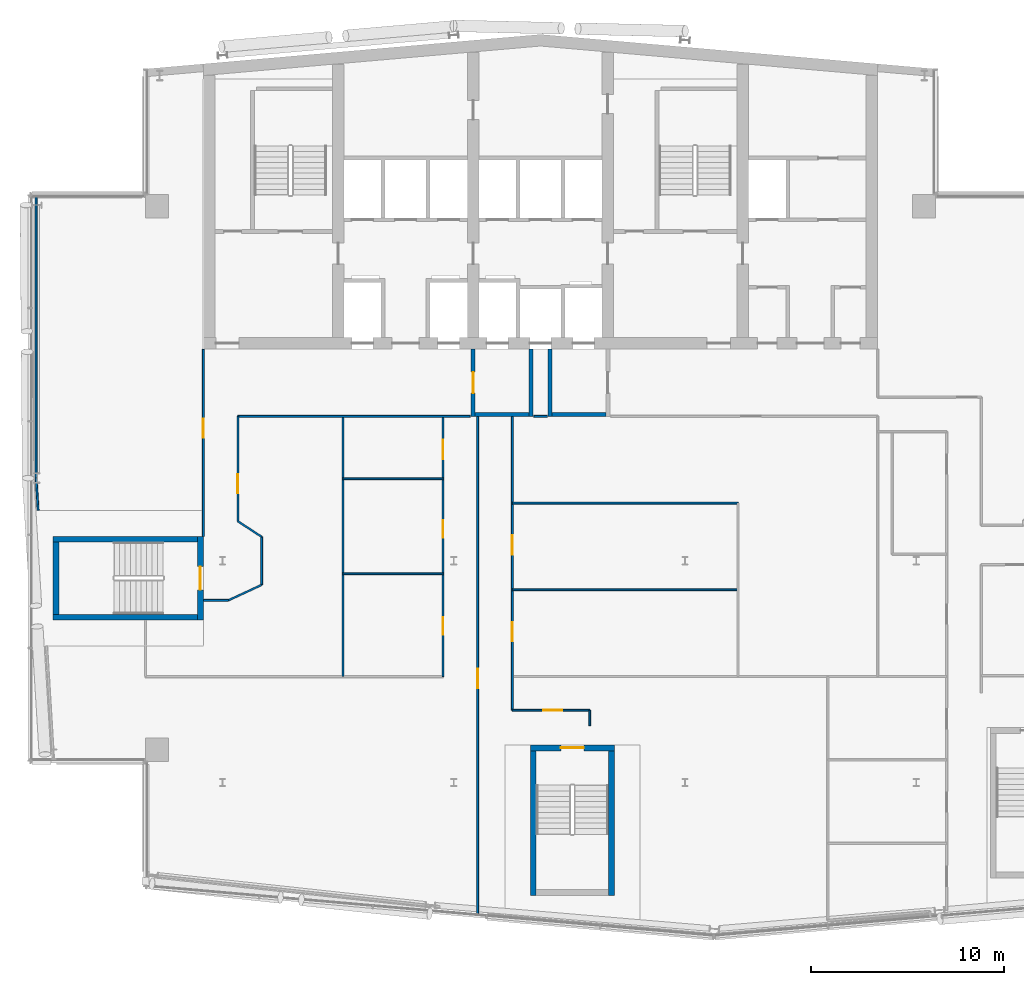
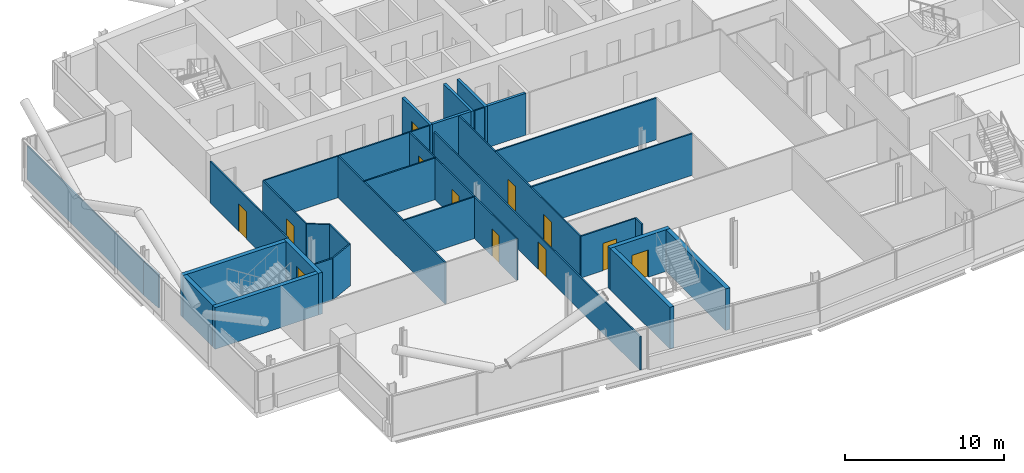
# One storey, part 15 of 27: 32 walls, 12 doors, 12 openings.
"""IFC4 building model written with IfcOpenShell, lengths in metres."""

from ifc_helpers import new_model, si_unit, direction, frame, frame_2d, origin, place, context, subcontext, project, spatial, rectangle, extrude, material, layer, layer_set, type_object, element, fill, save


model = new_model("IFC4")

# Units and contexts
model_context = context("Model", 3, precision=1e-05, world=origin(), true_north=direction((0.0, 1.0)))
body_context = subcontext(model_context, "Body", "Model", "MODEL_VIEW")
ifc_project = project(units=[si_unit("LENGTHUNIT", "METRE"), si_unit("AREAUNIT", "SQUARE_METRE"), si_unit("VOLUMEUNIT", "CUBIC_METRE"), si_unit("PLANEANGLEUNIT", "RADIAN"), si_unit("MASSUNIT", "GRAM", prefix="KILO")], contexts=[model_context])

# Site, building, storey
site_placement = place(None, origin())
site = spatial("IfcSite", under=ifc_project, at=site_placement, CompositionType="ELEMENT")
building_placement = place(site_placement, origin())
building = spatial("IfcBuilding", under=site, at=building_placement, Name="Wharfspan Tower", CompositionType="ELEMENT")
storey_placement = place(building_placement, frame((0.0, 0.0, 221.5)))
storey = spatial("IfcBuildingStorey", under=building, at=storey_placement, Name="L55", CompositionType="ELEMENT", Elevation=221.5)

# Wall, opening, door
ifc_material_1 = material(Name="Gypsum board on steel studs", Category="steel")
ifc_layer_1 = layer(ifc_material_1, 0.100098)
ifc_layer_set_1 = layer_set([ifc_layer_1], Name="Gypsum board on steel studs")
wall_type_1 = type_object("IfcWallType", Name="Compartment wall 100 EI 60", PredefinedType="PARTITIONING", material=ifc_layer_set_1)
wall_1_placement = place(storey_placement, frame((23.0, 24.274902, 0.0), z_axis=(0.0, 0.0, 1.0), x_axis=(0.0, 1.0, 0.0)))
wall_1 = element("IfcWall", 1, at=wall_1_placement, inside=storey, type_object=wall_type_1, Name="Partition L55.w007", PredefinedType="PARTITIONING", context=body_context, shape_type="SweptSolid", body=[
    extrude(rectangle(XDim=9.705078, YDim=0.100098, at=frame_2d((4.852539, 0.0))), origin(), (0.0, 0.0, 1.0), 3.199951),
])
opening_1_placement = place(wall_1_placement, frame((5.10498, 0.0, 0.0)))
opening_1 = element("IfcOpeningElement", 2, at=opening_1_placement, cuts=wall_1, Name="Opening D3-15", PredefinedType="OPENING", context=body_context, shape_type="SweptSolid", body=[
    extrude(rectangle(XDim=1.0, YDim=2.100098, at=frame_2d((0.5, 1.050049))), frame((0.0, 0.060059, 0.0), z_axis=(0.0, -1.0, 0.0), x_axis=(1.0, 0.0, 0.0)), (0.0, 0.0, 1.0), 0.120117),
])
ifc_material_2 = material(Name="Fire-rated timber door leaf in steel frame", Category="steel")
door_type_1 = type_object("IfcDoorType", Name="Door 1000 FD30S Right", OperationType="SINGLE_SWING_RIGHT", PredefinedType="DOOR", material=ifc_material_2)
door_1_placement = place(opening_1_placement, origin())
door_1 = element("IfcDoor", 3, at=door_1_placement, inside=storey, type_object=door_type_1, Name="Door D3-15", OperationType="SINGLE_SWING_RIGHT", OverallHeight=2.100098, OverallWidth=1.0, PredefinedType="DOOR", context=body_context, shape_type="SweptSolid", body=[
    extrude(rectangle(XDim=1.0, YDim=2.100098, at=frame_2d((0.5, 1.050049))), frame((0.0, 0.024902, 0.0), z_axis=(0.0, -1.0, 0.0), x_axis=(1.0, 0.0, 0.0)), (0.0, 0.0, 1.0), 0.050049),
])
fill(opening_1, door_1)

# Walls
wall_2_placement = place(storey_placement, frame((23.02002, 20.949951, 0.0), z_axis=(0.0, 0.0, 1.0), x_axis=(1.0, 0.0, 0.0)))
element("IfcWall", 4, at=wall_2_placement, inside=storey, type_object=wall_type_1, Name="Partition L55.w008", PredefinedType="PARTITIONING", context=body_context, shape_type="SweptSolid", body=[
    extrude(rectangle(XDim=1.280029, YDim=0.100098, at=frame_2d((0.640137, 0.0))), origin(), (0.0, 0.0, 1.0), 3.199951),
])
wall_3_placement = place(storey_placement, frame((24.300049, 20.949951, 0.0), z_axis=(0.0, 0.0, 1.0), x_axis=(0.907168, 0.420777, 0.0)))
element("IfcWall", 5, at=wall_3_placement, inside=storey, type_object=wall_type_1, Name="Partition L55.w009", PredefinedType="PARTITIONING", context=body_context, shape_type="SweptSolid", body=[
    extrude(rectangle(XDim=1.901367, YDim=0.100098, at=frame_2d((0.950684, 0.0))), origin(), (0.0, 0.0, 1.0), 3.199951),
])

# Wall, opening, door
wall_4_placement = place(storey_placement, frame((24.800049, 25.050049, 0.0), z_axis=(0.0, 0.0, 1.0), x_axis=(0.0, 1.0, 0.0)))
wall_4 = element("IfcWall", 6, at=wall_4_placement, inside=storey, type_object=wall_type_1, Name="Partition L55.w010", PredefinedType="PARTITIONING", context=body_context, shape_type="SweptSolid", body=[
    extrude(rectangle(XDim=5.449951, YDim=0.100098, at=frame_2d((2.725098, 0.0))), origin(), (0.0, 0.0, 1.0), 3.199951),
])
opening_2_placement = place(wall_4_placement, frame((1.455322, 0.0, 0.0)))
opening_2 = element("IfcOpeningElement", 7, at=opening_2_placement, cuts=wall_4, Name="Opening D3-12", PredefinedType="OPENING", context=body_context, shape_type="SweptSolid", body=[
    extrude(rectangle(XDim=1.0, YDim=2.100098, at=frame_2d((0.5, 1.050049))), frame((0.0, 0.060059, 0.0), z_axis=(0.0, -1.0, 0.0), x_axis=(1.0, 0.0, 0.0)), (0.0, 0.0, 1.0), 0.120117),
])
door_type_2 = type_object("IfcDoorType", Name="Door 1000 FD30S Left", OperationType="SINGLE_SWING_LEFT", PredefinedType="DOOR", material=ifc_material_2)
door_2_placement = place(opening_2_placement, origin())
door_2 = element("IfcDoor", 8, at=door_2_placement, inside=storey, type_object=door_type_2, Name="Door D3-12", OperationType="SINGLE_SWING_LEFT", OverallHeight=2.100098, OverallWidth=1.0, PredefinedType="DOOR", context=body_context, shape_type="SweptSolid", body=[
    extrude(rectangle(XDim=1.0, YDim=2.100098, at=frame_2d((0.5, 1.050049))), frame((0.0, 0.024902, 0.0), z_axis=(0.0, -1.0, 0.0), x_axis=(1.0, 0.0, 0.0)), (0.0, 0.0, 1.0), 0.050049),
])
fill(opening_2, door_2)

# Walls
wall_5_placement = place(storey_placement, frame((24.800049, 30.5, 0.0), z_axis=(0.0, 0.0, 1.0), x_axis=(1.0, 0.0, 0.0)))
element("IfcWall", 9, at=wall_5_placement, inside=storey, type_object=wall_type_1, Name="Partition L55.w011", PredefinedType="PARTITIONING", context=body_context, shape_type="SweptSolid", body=[
    extrude(rectangle(XDim=12.050049, YDim=0.100098, at=frame_2d((6.024902, 0.0))), origin(), (0.0, 0.0, 1.0), 3.199951),
])
wall_6_placement = place(storey_placement, frame((26.024902, 21.75, 0.0), z_axis=(0.0, 0.0, 1.0), x_axis=(0.0, 1.0, 0.0)))
element("IfcWall", 10, at=wall_6_placement, inside=storey, type_object=wall_type_1, Name="Partition L55.w012", PredefinedType="PARTITIONING", context=body_context, shape_type="SweptSolid", body=[
    extrude(rectangle(XDim=2.5, YDim=0.100098, at=frame_2d((1.25, 0.0))), origin(), (0.0, 0.0, 1.0), 3.199951),
])
wall_7_placement = place(storey_placement, frame((26.024902, 24.25, 0.0), z_axis=(0.0, 0.0, 1.0), x_axis=(-0.837222, 0.546856, 0.0)))
element("IfcWall", 11, at=wall_7_placement, inside=storey, type_object=wall_type_1, Name="Partition L55.w013", PredefinedType="PARTITIONING", context=body_context, shape_type="SweptSolid", body=[
    extrude(rectangle(XDim=1.462891, YDim=0.100098, at=frame_2d((0.731445, 0.0))), origin(), (0.0, 0.0, 1.0), 3.199951),
])
wall_8_placement = place(storey_placement, frame((30.25, 17.0, 0.0), z_axis=(0.0, 0.0, 1.0), x_axis=(0.0, 1.0, 0.0)))
element("IfcWall", 12, at=wall_8_placement, inside=storey, type_object=wall_type_1, Name="Partition L55.w014", PredefinedType="PARTITIONING", context=body_context, shape_type="SweptSolid", body=[
    extrude(rectangle(XDim=13.5, YDim=0.100098, at=frame_2d((6.75, 0.0))), origin(), (0.0, 0.0, 1.0), 3.199951),
])

# Wall, openings, doors
wall_9_placement = place(storey_placement, frame((35.439941, 16.995117, 0.0), z_axis=(0.0, 0.0, 1.0), x_axis=(0.0, 1.0, 0.0)))
wall_9 = element("IfcWall", 13, at=wall_9_placement, inside=storey, type_object=wall_type_1, Name="Partition L55.w018", PredefinedType="PARTITIONING", context=body_context, shape_type="SweptSolid", body=[
    extrude(rectangle(XDim=13.494873, YDim=0.100098, at=frame_2d((6.747559, 0.0))), origin(), (0.0, 0.0, 1.0), 3.199951),
])
opening_3_placement = place(wall_9_placement, frame((2.166016, 0.0, 0.0)))
opening_3 = element("IfcOpeningElement", 14, at=opening_3_placement, cuts=wall_9, Name="Opening D3-07", PredefinedType="OPENING", context=body_context, shape_type="SweptSolid", body=[
    extrude(rectangle(XDim=0.899902, YDim=2.100098, at=frame_2d((0.449951, 1.050049))), frame((0.0, 0.060059, 0.0), z_axis=(0.0, -1.0, 0.0), x_axis=(1.0, 0.0, 0.0)), (0.0, 0.0, 1.0), 0.120117),
])
opening_4_placement = place(wall_9_placement, frame((7.215088, 0.0, 0.0)))
opening_4 = element("IfcOpeningElement", 15, at=opening_4_placement, cuts=wall_9, Name="Opening D3-11", PredefinedType="OPENING", context=body_context, shape_type="SweptSolid", body=[
    extrude(rectangle(XDim=0.899902, YDim=2.100098, at=frame_2d((0.449951, 1.050049))), frame((0.0, 0.060059, 0.0), z_axis=(0.0, -1.0, 0.0), x_axis=(1.0, 0.0, 0.0)), (0.0, 0.0, 1.0), 0.120117),
])
opening_5_placement = place(wall_9_placement, frame((11.2854, 0.0, 0.0)))
opening_5 = element("IfcOpeningElement", 16, at=opening_5_placement, cuts=wall_9, Name="Opening D3-14", PredefinedType="OPENING", context=body_context, shape_type="SweptSolid", body=[
    extrude(rectangle(XDim=1.0, YDim=2.100098, at=frame_2d((0.5, 1.050049))), frame((0.0, 0.060059, 0.0), z_axis=(0.0, -1.0, 0.0), x_axis=(1.0, 0.0, 0.0)), (0.0, 0.0, 1.0), 0.120117),
])
ifc_material_3 = material(Name="Timber door leaf in steel frame", Category="steel")
door_type_3 = type_object("IfcDoorType", Name="Door 1000 NOT RATED Right", OperationType="SINGLE_SWING_RIGHT", PredefinedType="DOOR", material=ifc_material_3)
door_3_placement = place(opening_5_placement, origin())
door_3 = element("IfcDoor", 17, at=door_3_placement, inside=storey, type_object=door_type_3, Name="Door D3-14", OperationType="SINGLE_SWING_RIGHT", OverallHeight=2.100098, OverallWidth=1.0, PredefinedType="DOOR", context=body_context, shape_type="SweptSolid", body=[
    extrude(rectangle(XDim=1.0, YDim=2.100098, at=frame_2d((0.5, 1.050049))), frame((0.0, 0.024902, 0.0), z_axis=(0.0, -1.0, 0.0), x_axis=(1.0, 0.0, 0.0)), (0.0, 0.0, 1.0), 0.050049),
])
fill(opening_5, door_3)
door_type_4 = type_object("IfcDoorType", Name="Door 900 NOT RATED Left", OperationType="SINGLE_SWING_LEFT", PredefinedType="DOOR", material=ifc_material_3)
door_4_placement = place(opening_3_placement, origin())
door_4 = element("IfcDoor", 18, at=door_4_placement, inside=storey, type_object=door_type_4, Name="Door D3-07", OperationType="SINGLE_SWING_LEFT", OverallHeight=2.100098, OverallWidth=0.899902, PredefinedType="DOOR", context=body_context, shape_type="SweptSolid", body=[
    extrude(rectangle(XDim=0.899902, YDim=2.100098, at=frame_2d((0.449951, 1.050049))), frame((0.0, 0.024902, 0.0), z_axis=(0.0, -1.0, 0.0), x_axis=(1.0, 0.0, 0.0)), (0.0, 0.0, 1.0), 0.050049),
])
fill(opening_3, door_4)
door_type_5 = type_object("IfcDoorType", Name="Door 900 NOT RATED Right", OperationType="SINGLE_SWING_RIGHT", PredefinedType="DOOR", material=ifc_material_3)
door_5_placement = place(opening_4_placement, origin())
door_5 = element("IfcDoor", 19, at=door_5_placement, inside=storey, type_object=door_type_5, Name="Door D3-11", OperationType="SINGLE_SWING_RIGHT", OverallHeight=2.100098, OverallWidth=0.899902, PredefinedType="DOOR", context=body_context, shape_type="SweptSolid", body=[
    extrude(rectangle(XDim=0.899902, YDim=2.100098, at=frame_2d((0.449951, 1.050049))), frame((0.0, 0.024902, 0.0), z_axis=(0.0, -1.0, 0.0), x_axis=(1.0, 0.0, 0.0)), (0.0, 0.0, 1.0), 0.050049),
])
fill(opening_4, door_5)

# Wall, opening, door
wall_10_placement = place(storey_placement, frame((37.23999, 4.586914, 0.0), z_axis=(0.0, 0.0, 1.0), x_axis=(0.0, 1.0, 0.0)))
wall_10 = element("IfcWall", 20, at=wall_10_placement, inside=storey, type_object=wall_type_1, Name="Partition L55.w019", PredefinedType="PARTITIONING", context=body_context, shape_type="SweptSolid", body=[
    extrude(rectangle(XDim=25.903076, YDim=0.100098, at=frame_2d((12.95166, 0.0))), origin(), (0.0, 0.0, 1.0), 2.580078),
])
opening_6_placement = place(wall_10_placement, frame((11.80249, 0.0, 0.0)))
opening_6 = element("IfcOpeningElement", 21, at=opening_6_placement, cuts=wall_10, Name="Opening D3-05", PredefinedType="OPENING", context=body_context, shape_type="SweptSolid", body=[
    extrude(rectangle(XDim=1.0, YDim=2.100098, at=frame_2d((0.5, 1.050049))), frame((0.0, 0.060059, 0.0), z_axis=(0.0, -1.0, 0.0), x_axis=(1.0, 0.0, 0.0)), (0.0, 0.0, 1.0), 0.120117),
])
door_6_placement = place(opening_6_placement, origin())
door_6 = element("IfcDoor", 22, at=door_6_placement, inside=storey, type_object=door_type_2, Name="Door D3-05", OperationType="SINGLE_SWING_LEFT", OverallHeight=2.100098, OverallWidth=1.0, PredefinedType="DOOR", context=body_context, shape_type="SweptSolid", body=[
    extrude(rectangle(XDim=1.0, YDim=2.100098, at=frame_2d((0.5, 1.050049))), frame((0.0, 0.024902, 0.0), z_axis=(0.0, -1.0, 0.0), x_axis=(1.0, 0.0, 0.0)), (0.0, 0.0, 1.0), 0.050049),
])
fill(opening_6, door_6)

# Wall, openings, doors
wall_11_placement = place(storey_placement, frame((39.040039, 15.245117, 0.0), z_axis=(0.0, 0.0, 1.0), x_axis=(0.0, 1.0, 0.0)))
wall_11 = element("IfcWall", 23, at=wall_11_placement, inside=storey, type_object=wall_type_1, Name="Partition L55.w020", PredefinedType="PARTITIONING", context=body_context, shape_type="SweptSolid", body=[
    extrude(rectangle(XDim=15.254883, YDim=0.100098, at=frame_2d((7.627441, 0.0))), origin(), (0.0, 0.0, 1.0), 3.199951),
])
opening_7_placement = place(wall_11_placement, frame((3.574951, 0.0, 0.0)))
opening_7 = element("IfcOpeningElement", 24, at=opening_7_placement, cuts=wall_11, Name="Opening D3-06", PredefinedType="OPENING", context=body_context, shape_type="SweptSolid", body=[
    extrude(rectangle(XDim=1.0, YDim=2.100098, at=frame_2d((0.5, 1.050049))), frame((0.0, 0.060059, 0.0), z_axis=(0.0, -1.0, 0.0), x_axis=(1.0, 0.0, 0.0)), (0.0, 0.0, 1.0), 0.120117),
])
opening_8_placement = place(wall_11_placement, frame((8.074951, 0.0, 0.0)))
opening_8 = element("IfcOpeningElement", 25, at=opening_8_placement, cuts=wall_11, Name="Opening D3-10", PredefinedType="OPENING", context=body_context, shape_type="SweptSolid", body=[
    extrude(rectangle(XDim=1.0, YDim=2.100098, at=frame_2d((0.5, 1.050049))), frame((0.0, 0.060059, 0.0), z_axis=(0.0, -1.0, 0.0), x_axis=(1.0, 0.0, 0.0)), (0.0, 0.0, 1.0), 0.120117),
])
door_7_placement = place(opening_7_placement, origin())
door_7 = element("IfcDoor", 26, at=door_7_placement, inside=storey, type_object=door_type_2, Name="Door D3-06", OperationType="SINGLE_SWING_LEFT", OverallHeight=2.100098, OverallWidth=1.0, PredefinedType="DOOR", context=body_context, shape_type="SweptSolid", body=[
    extrude(rectangle(XDim=1.0, YDim=2.100098, at=frame_2d((0.5, 1.050049))), frame((0.0, 0.024902, 0.0), z_axis=(0.0, -1.0, 0.0), x_axis=(1.0, 0.0, 0.0)), (0.0, 0.0, 1.0), 0.050049),
])
fill(opening_7, door_7)
door_8_placement = place(opening_8_placement, origin())
door_8 = element("IfcDoor", 27, at=door_8_placement, inside=storey, type_object=door_type_1, Name="Door D3-10", OperationType="SINGLE_SWING_RIGHT", OverallHeight=2.100098, OverallWidth=1.0, PredefinedType="DOOR", context=body_context, shape_type="SweptSolid", body=[
    extrude(rectangle(XDim=1.0, YDim=2.100098, at=frame_2d((0.5, 1.050049))), frame((0.0, 0.024902, 0.0), z_axis=(0.0, -1.0, 0.0), x_axis=(1.0, 0.0, 0.0)), (0.0, 0.0, 1.0), 0.050049),
])
fill(opening_8, door_8)

# Wall, opening, door
wall_12_placement = place(storey_placement, frame((39.040039, 15.245117, 0.0), z_axis=(0.0, 0.0, 1.0), x_axis=(1.0, 0.0, 0.0)))
wall_12 = element("IfcWall", 28, at=wall_12_placement, inside=storey, type_object=wall_type_1, Name="Partition L55.w021", PredefinedType="PARTITIONING", context=body_context, shape_type="SweptSolid", body=[
    extrude(rectangle(XDim=4.01001, YDim=0.100098, at=frame_2d((2.004883, 0.0))), origin(), (0.0, 0.0, 1.0), 3.199951),
])
opening_9_placement = place(wall_12_placement, frame((1.594971, 0.0, 0.0)))
opening_9 = element("IfcOpeningElement", 29, at=opening_9_placement, cuts=wall_12, Name="Opening D3-04", PredefinedType="OPENING", context=body_context, shape_type="SweptSolid", body=[
    extrude(rectangle(XDim=1.0, YDim=2.100098, at=frame_2d((0.5, 1.050049))), frame((0.0, 0.060059, 0.0), z_axis=(0.0, -1.0, 0.0), x_axis=(1.0, 0.0, 0.0)), (0.0, 0.0, 1.0), 0.120117),
])
door_9_placement = place(opening_9_placement, origin())
door_9 = element("IfcDoor", 30, at=door_9_placement, inside=storey, type_object=door_type_1, Name="Door D3-04", OperationType="SINGLE_SWING_RIGHT", OverallHeight=2.100098, OverallWidth=1.0, PredefinedType="DOOR", context=body_context, shape_type="SweptSolid", body=[
    extrude(rectangle(XDim=1.0, YDim=2.100098, at=frame_2d((0.5, 1.050049))), frame((0.0, 0.024902, 0.0), z_axis=(0.0, -1.0, 0.0), x_axis=(1.0, 0.0, 0.0)), (0.0, 0.0, 1.0), 0.050049),
])
fill(opening_9, door_9)

# Walls
for number, where, z_axis, x_axis, name in (
    (31, (39.040039, 21.5, 0.0), (0.0, 0.0, 1.0), (1.0, 0.0, 0.0), "Partition L55.w023"),
    (32, (39.040039, 26.0, 0.0), (0.0, 0.0, 1.0), (1.0, 0.0, 0.0), "Partition L55.w024"),
):
    element("IfcWall", number, at=place(storey_placement, frame(where, z_axis=z_axis, x_axis=x_axis)), inside=storey, type_object=wall_type_1, Name=name, PredefinedType="PARTITIONING", context=body_context, shape_type="SweptSolid", body=[
        extrude(rectangle(XDim=11.709961, YDim=0.100098, at=frame_2d((5.85498, 0.0))), origin(), (0.0, 0.0, 1.0), 3.199951),
    ])
wall_13_placement = place(storey_placement, frame((40.149902, 30.5, 0.0), z_axis=(0.0, 0.0, 1.0), x_axis=(1.0, 0.0, 0.0)))
element("IfcWall", 33, at=wall_13_placement, inside=storey, type_object=wall_type_1, Name="Partition L55.w025", PredefinedType="PARTITIONING", context=body_context, shape_type="SweptSolid", body=[
    extrude(rectangle(XDim=0.700195, YDim=0.100098, at=frame_2d((0.350098, 0.0))), origin(), (0.0, 0.0, 1.0), 3.199951),
])
wall_14_placement = place(storey_placement, frame((43.054932, 14.443115, 0.0), z_axis=(0.0, 0.0, 1.0), x_axis=(0.0, 1.0, 0.0)))
element("IfcWall", 34, at=wall_14_placement, inside=storey, type_object=wall_type_1, Name="Partition L55.w026", PredefinedType="PARTITIONING", context=body_context, shape_type="SweptSolid", body=[
    extrude(rectangle(XDim=0.802002, YDim=0.100098, at=frame_2d((0.400879, 0.0))), origin(), (0.0, 0.0, 1.0), 3.199951),
])

# Wall, opening, door
ifc_material_4 = material(Name="Concrete C30/37", Category="concrete")
ifc_layer_2 = layer(ifc_material_4, 0.199951)
ifc_layer_set_2 = layer_set([ifc_layer_2], Name="Concrete C30/37")
wall_type_2 = type_object("IfcWallType", Name="Lobby wall 200", PredefinedType="PARTITIONING", material=ifc_layer_set_2)
wall_15_placement = place(storey_placement, frame((37.0, 30.5, 0.0), z_axis=(0.0, 0.0, 1.0), x_axis=(0.0, 1.0, 0.0)))
wall_15 = element("IfcWall", 35, at=wall_15_placement, inside=storey, type_object=wall_type_2, Name="sw:L55:FLFF1W", PredefinedType="PARTITIONING", context=body_context, shape_type="SweptSolid", body=[
    extrude(rectangle(XDim=3.5, YDim=0.199951, at=frame_2d((1.75, 0.0))), origin(), (0.0, 0.0, 1.0), 3.199951),
])
opening_10_placement = place(wall_15_placement, frame((1.199951, 0.0, 0.0)))
opening_10 = element("IfcOpeningElement", 36, at=opening_10_placement, cuts=wall_15, Name="Opening FL.FF1.L55", PredefinedType="OPENING", context=body_context, shape_type="SweptSolid", body=[
    extrude(rectangle(XDim=1.100098, YDim=2.100098, at=frame_2d((0.550049, 1.050049))), frame((0.0, 0.109863, 0.0), z_axis=(0.0, -1.0, 0.0), x_axis=(1.0, 0.0, 0.0)), (0.0, 0.0, 1.0), 0.219971),
])
ifc_material_5 = material(Name="Steel door leaf", Category="steel")
door_type_6 = type_object("IfcDoorType", Name="Firefighting lobby door 1100x2100", OperationType="SINGLE_SWING_LEFT", PredefinedType="DOOR", material=ifc_material_5)
door_10_placement = place(opening_10_placement, origin())
door_10 = element("IfcDoor", 37, at=door_10_placement, inside=storey, type_object=door_type_6, Name="fd:L55:FF1", OperationType="SINGLE_SWING_LEFT", OverallHeight=2.100098, OverallWidth=1.100098, PredefinedType="DOOR", context=body_context, shape_type="SweptSolid", body=[
    extrude(rectangle(XDim=1.100098, YDim=2.100098, at=frame_2d((0.550049, 1.050049))), frame((0.0, 0.024902, 0.0), z_axis=(0.0, -1.0, 0.0), x_axis=(1.0, 0.0, 0.0)), (0.0, 0.0, 1.0), 0.050049),
])
fill(opening_10, door_10)

# Walls
wall_16_placement = place(storey_placement, frame((40.0, 30.5, 0.0), z_axis=(0.0, 0.0, 1.0), x_axis=(0.0, 1.0, 0.0)))
element("IfcWall", 38, at=wall_16_placement, inside=storey, type_object=wall_type_2, Name="sw:L55:FLFF1E", PredefinedType="PARTITIONING", context=body_context, shape_type="SweptSolid", body=[
    extrude(rectangle(XDim=3.5, YDim=0.199951, at=frame_2d((1.75, 0.0))), origin(), (0.0, 0.0, 1.0), 3.199951),
])
wall_17_placement = place(storey_placement, frame((37.100098, 30.600098, 0.0), z_axis=(0.0, 0.0, 1.0), x_axis=(1.0, 0.0, 0.0)))
element("IfcWall", 39, at=wall_17_placement, inside=storey, type_object=wall_type_2, Name="sw:L55:FLFF1F", PredefinedType="PARTITIONING", context=body_context, shape_type="SweptSolid", body=[
    extrude(rectangle(XDim=2.799805, YDim=0.199951, at=frame_2d((1.399902, 0.0))), origin(), (0.0, 0.0, 1.0), 3.199951),
])
wall_18_placement = place(storey_placement, frame((41.0, 30.5, 0.0), z_axis=(0.0, 0.0, 1.0), x_axis=(0.0, 1.0, 0.0)))
element("IfcWall", 40, at=wall_18_placement, inside=storey, type_object=wall_type_2, Name="sw:L55:FLFF2W", PredefinedType="PARTITIONING", context=body_context, shape_type="SweptSolid", body=[
    extrude(rectangle(XDim=3.5, YDim=0.199951, at=frame_2d((1.75, 0.0))), origin(), (0.0, 0.0, 1.0), 3.199951),
])
wall_19_placement = place(storey_placement, frame((41.100098, 30.600098, 0.0), z_axis=(0.0, 0.0, 1.0), x_axis=(1.0, 0.0, 0.0)))
element("IfcWall", 41, at=wall_19_placement, inside=storey, type_object=wall_type_2, Name="sw:L55:FLFF2F", PredefinedType="PARTITIONING", context=body_context, shape_type="SweptSolid", body=[
    extrude(rectangle(XDim=2.799805, YDim=0.199951, at=frame_2d((1.399902, 0.0))), origin(), (0.0, 0.0, 1.0), 3.199951),
])
ifc_layer_3 = layer(ifc_material_1, 0.100098)
ifc_layer_set_3 = layer_set([ifc_layer_3], Name="Gypsum board on steel studs")
wall_type_3 = type_object("IfcWallType", Name="Partition 100", PredefinedType="PARTITIONING", material=ifc_layer_set_3)
wall_20_placement = place(storey_placement, frame((14.324951, 27.300049, 0.0), z_axis=(0.0, 0.0, 1.0), x_axis=(0.0, 1.0, 0.0)))
element("IfcWall", 42, at=wall_20_placement, inside=storey, type_object=wall_type_3, Name="Partition L55.w001", PredefinedType="PARTITIONING", context=body_context, shape_type="SweptSolid", body=[
    extrude(rectangle(XDim=14.679932, YDim=0.100098, at=frame_2d((7.339844, 0.0))), origin(), (0.0, 0.0, 1.0), 2.580078),
])
wall_21_placement = place(storey_placement, frame((14.428711, 25.620117, 0.0), z_axis=(0.0, 0.0, 1.0), x_axis=(-0.061647, 0.998101, 0.0)))
element("IfcWall", 43, at=wall_21_placement, inside=storey, type_object=wall_type_3, Name="Partition L55.w002", PredefinedType="PARTITIONING", context=body_context, shape_type="SweptSolid", body=[
    extrude(rectangle(XDim=1.683105, YDim=0.100098, at=frame_2d((0.841553, 0.0))), origin(), (0.0, 0.0, 1.0), 2.580078),
])
for number, where, z_axis, x_axis, name in (
    (44, (30.25, 22.330078, 0.0), (0.0, 0.0, 1.0), (1.0, 0.0, 0.0), "Partition L55.w015"),
    (45, (30.25, 27.26001, 0.0), (0.0, 0.0, 1.0), (1.0, 0.0, 0.0), "Partition L55.w016"),
):
    element("IfcWall", number, at=place(storey_placement, frame(where, z_axis=z_axis, x_axis=x_axis)), inside=storey, type_object=wall_type_3, Name=name, PredefinedType="PARTITIONING", context=body_context, shape_type="SweptSolid", body=[
        extrude(rectangle(XDim=5.189941, YDim=0.100098, at=frame_2d((2.594971, 0.0))), origin(), (0.0, 0.0, 1.0), 3.199951),
    ])

# Wall, opening, door
ifc_material_6 = material(Name="Concrete C40/50", Category="concrete")
ifc_layer_4 = layer(ifc_material_6, 0.300049)
ifc_layer_set_4 = layer_set([ifc_layer_4], Name="Concrete C40/50")
wall_type_4 = type_object("IfcWallType", Name="Stair core wall 300", PredefinedType="SHEAR", material=ifc_layer_set_4)
wall_22_placement = place(storey_placement, frame((22.850098, 19.925049, 0.0), z_axis=(0.0, 0.0, 1.0), x_axis=(0.0, 1.0, 0.0)))
wall_22 = element("IfcWall", 46, at=wall_22_placement, inside=storey, type_object=wall_type_4, Name="ST3 stair enclosure wall L55", PredefinedType="SHEAR", context=body_context, shape_type="SweptSolid", body=[
    extrude(rectangle(XDim=4.349854, YDim=0.300049, at=frame_2d((2.174805, 0.0))), origin(), (0.0, 0.0, 1.0), 3.199951),
])
opening_11_placement = place(wall_22_placement, frame((1.574951, 0.0, 0.0)))
opening_11 = element("IfcOpeningElement", 47, at=opening_11_placement, cuts=wall_22, Name="Opening SD3.L55", PredefinedType="OPENING", context=body_context, shape_type="SweptSolid", body=[
    extrude(rectangle(XDim=1.199951, YDim=2.100098, at=frame_2d((0.600098, 1.050049))), frame((0.0, 0.159912, 0.0), z_axis=(0.0, -1.0, 0.0), x_axis=(1.0, 0.0, 0.0)), (0.0, 0.0, 1.0), 0.320068),
])
door_type_7 = type_object("IfcDoorType", Name="Stair door 1200x2100", OperationType="SINGLE_SWING_LEFT", PredefinedType="DOOR", material=ifc_material_5)
door_11_placement = place(opening_11_placement, origin())
door_11 = element("IfcDoor", 48, at=door_11_placement, inside=storey, type_object=door_type_7, Name="sd:L55:ST3z4", OperationType="SINGLE_SWING_RIGHT", OverallHeight=2.100098, OverallWidth=1.199951, PredefinedType="DOOR", context=body_context, shape_type="SweptSolid", body=[
    extrude(rectangle(XDim=1.199951, YDim=2.100098, at=frame_2d((0.600098, 1.050049))), frame((0.0, 0.024902, 0.0), z_axis=(0.0, -1.0, 0.0), x_axis=(1.0, 0.0, 0.0)), (0.0, 0.0, 1.0), 0.050049),
])
fill(opening_11, door_11)

wall_23_placement = place(storey_placement, frame((39.977051, 13.293213, 0.0), z_axis=(0.0, 0.0, 1.0), x_axis=(1.0, 0.0, 0.0)))
wall_23 = element("IfcWall", 49, at=wall_23_placement, inside=storey, type_object=wall_type_4, Name="ST4 stair enclosure wall L55", PredefinedType="SHEAR", context=body_context, shape_type="SweptSolid", body=[
    extrude(rectangle(XDim=4.350098, YDim=0.300049, at=frame_2d((2.175049, 0.0))), origin(), (0.0, 0.0, 1.0), 3.199951),
])
opening_12_placement = place(wall_23_placement, frame((1.574951, 0.0, 0.0)))
opening_12 = element("IfcOpeningElement", 50, at=opening_12_placement, cuts=wall_23, Name="Opening SD4.L55", PredefinedType="OPENING", context=body_context, shape_type="SweptSolid", body=[
    extrude(rectangle(XDim=1.199951, YDim=2.100098, at=frame_2d((0.600098, 1.050049))), frame((0.0, 0.159912, 0.0), z_axis=(0.0, -1.0, 0.0), x_axis=(1.0, 0.0, 0.0)), (0.0, 0.0, 1.0), 0.320068),
])
door_12_placement = place(opening_12_placement, origin())
door_12 = element("IfcDoor", 51, at=door_12_placement, inside=storey, type_object=door_type_7, Name="sd:L55:ST4z4", OperationType="SINGLE_SWING_RIGHT", OverallHeight=2.100098, OverallWidth=1.199951, PredefinedType="DOOR", context=body_context, shape_type="SweptSolid", body=[
    extrude(rectangle(XDim=1.199951, YDim=2.100098, at=frame_2d((0.600098, 1.050049))), frame((0.0, 0.024902, 0.0), z_axis=(0.0, -1.0, 0.0), x_axis=(1.0, 0.0, 0.0)), (0.0, 0.0, 1.0), 0.050049),
])
fill(opening_12, door_12)

# Walls
for number, where, z_axis, x_axis, name in (
    (52, (15.199951, 20.074951, 0.0), (0.0, 0.0, 1.0), (1.0, 0.0, 0.0), "ST3 stair enclosure wall L55"),
    (53, (15.199951, 24.125, 0.0), (0.0, 0.0, 1.0), (1.0, 0.0, 0.0), "ST3 stair enclosure wall L55"),
):
    element("IfcWall", number, at=place(storey_placement, frame(where, z_axis=z_axis, x_axis=x_axis)), inside=storey, type_object=wall_type_4, Name=name, PredefinedType="SHEAR", context=body_context, shape_type="SweptSolid", body=[
        extrude(rectangle(XDim=7.5, YDim=0.300049, at=frame_2d((3.75, 0.0))), origin(), (0.0, 0.0, 1.0), 3.199951),
    ])
wall_24_placement = place(storey_placement, frame((15.350098, 20.225098, 0.0), z_axis=(0.0, 0.0, 1.0), x_axis=(0.0, 1.0, 0.0)))
element("IfcWall", 54, at=wall_24_placement, inside=storey, type_object=wall_type_4, Name="ST3 stair enclosure wall L55", PredefinedType="SHEAR", context=body_context, shape_type="SweptSolid", body=[
    extrude(rectangle(XDim=3.75, YDim=0.300049, at=frame_2d((1.875, 0.0))), origin(), (0.0, 0.0, 1.0), 3.199951),
])
for number, where, z_axis, x_axis, name in (
    (55, (40.127197, 5.643311, 0.0), (0.0, 0.0, 1.0), (0.0, 1.0, 0.0), "ST4 stair enclosure wall L55"),
    (56, (44.177002, 5.643311, 0.0), (0.0, 0.0, 1.0), (0.0, 1.0, 0.0), "ST4 stair enclosure wall L55"),
):
    element("IfcWall", number, at=place(storey_placement, frame(where, z_axis=z_axis, x_axis=x_axis)), inside=storey, type_object=wall_type_4, Name=name, PredefinedType="SHEAR", context=body_context, shape_type="SweptSolid", body=[
        extrude(rectangle(XDim=7.5, YDim=0.300049, at=frame_2d((3.75, 0.0))), origin(), (0.0, 0.0, 1.0), 3.199951),
    ])

save(model, "model.ifc")
